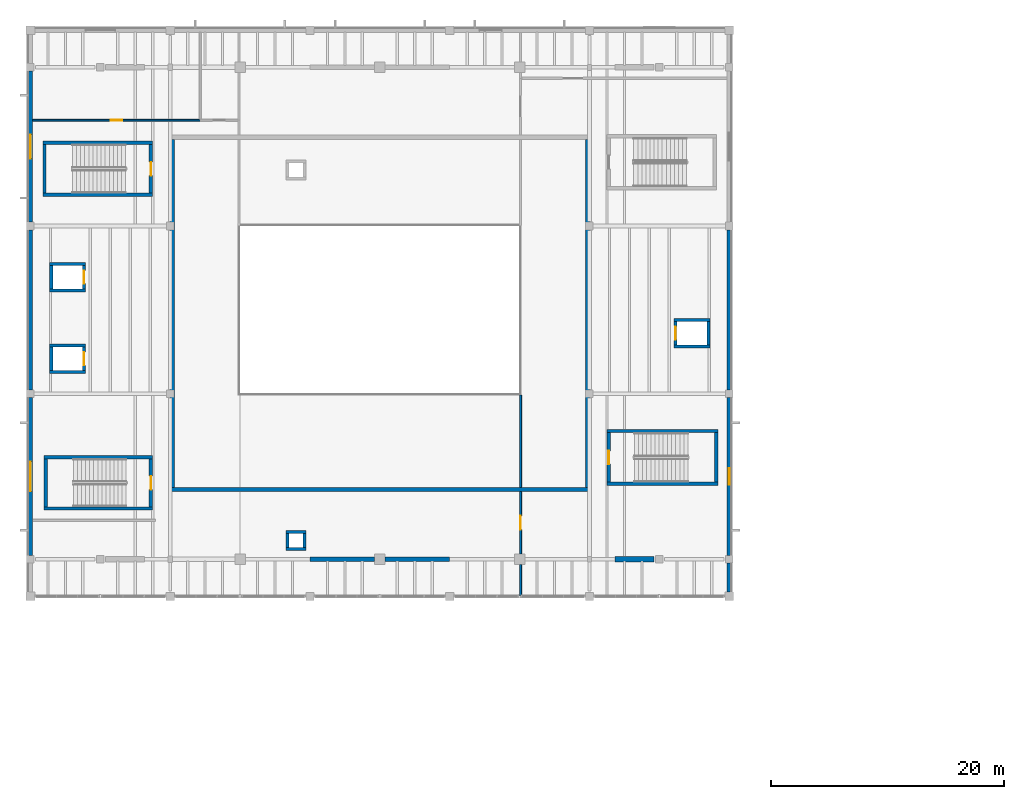
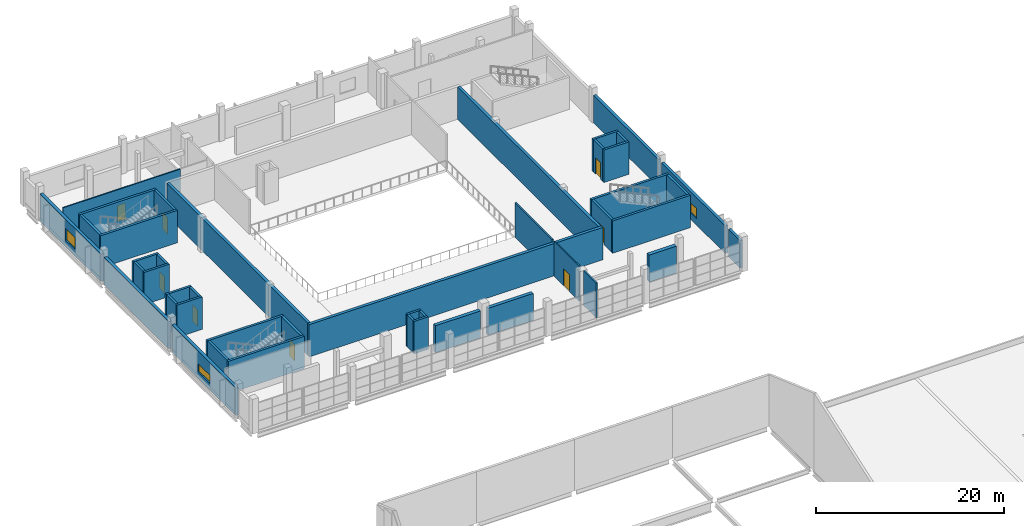
# One storey, part 46 of 63: 44 walls, 8 doors, 3 windows, 11 openings.
"""IFC4 building model written with IfcOpenShell, lengths in metres."""

from ifc_helpers import new_model, si_unit, direction, frame, frame_2d, origin, place, context, subcontext, project, spatial, rectangle, extrude, material, layer, layer_set, type_object, element, fill, save


model = new_model("IFC4")

# Units and contexts
model_context = context("Model", 3, precision=1e-05, world=origin(), true_north=direction((0.0, 1.0)))
body_context = subcontext(model_context, "Body", "Model", "MODEL_VIEW")
ifc_project = project(units=[si_unit("LENGTHUNIT", "METRE"), si_unit("AREAUNIT", "SQUARE_METRE"), si_unit("VOLUMEUNIT", "CUBIC_METRE"), si_unit("PLANEANGLEUNIT", "RADIAN"), si_unit("MASSUNIT", "GRAM", prefix="KILO")], contexts=[model_context])

# Site, building, storey
site_placement = place(None, origin())
site = spatial("IfcSite", under=ifc_project, at=site_placement, CompositionType="ELEMENT")
building_placement = place(site_placement, origin())
building = spatial("IfcBuilding", under=site, at=building_placement, Name="Kelmvaro Bay Concert Hall", CompositionType="ELEMENT")
storey_placement = place(building_placement, frame((0.0, 0.0, 13.800048828125)))
storey = spatial("IfcBuildingStorey", under=building, at=storey_placement, Name="L03", CompositionType="ELEMENT", Elevation=13.800048828125)

# Wall
ifc_material_1 = material(Name="Acoustic Gypsum Board on Galvanised Steel Studs", Category="steel")
ifc_layer_1 = layer(ifc_material_1, 0.169921875)
ifc_layer_set_1 = layer_set([ifc_layer_1], Name="Acoustic Gypsum Board on Galvanised Steel Studs")
wall_type_1 = type_object("IfcWallType", Name="Corridor Fire Compartment Partition 170", PredefinedType="PARTITIONING", material=ifc_layer_set_1)
wall_1_placement = place(storey_placement, frame((42.080078125, 65.449951171875, 0.0), z_axis=(0.0, 0.0, 1.0), x_axis=(0.0, 1.0, 0.0)))
element("IfcWall", 1, at=wall_1_placement, inside=storey, type_object=wall_type_1, Name="L03 Interior Partition PT-L03-0278", PredefinedType="PARTITIONING", context=body_context, shape_type="SweptSolid", body=[
    extrude(rectangle(XDim=2.672119140625, YDim=0.169921875, at=frame_2d((1.3359375, 0.0))), origin(), (0.0, 0.0, 1.0), 4.5),
])

# Wall, opening, door
wall_2_placement = place(storey_placement, frame((42.080078125, 69.0380859375, 0.0), z_axis=(0.0, 0.0, 1.0), x_axis=(0.0, 1.0, 0.0)))
wall_2 = element("IfcWall", 2, at=wall_2_placement, inside=storey, type_object=wall_type_1, Name="L03 Interior Partition PT-L03-0279", PredefinedType="PARTITIONING", context=body_context, shape_type="SweptSolid", body=[
    extrude(rectangle(XDim=5.35693359375, YDim=0.169921875, at=frame_2d((2.678466796875, 0.0))), origin(), (0.0, 0.0, 1.0), 4.5),
])
opening_1_placement = place(wall_2_placement, frame((2.068603515625, 0.0, 0.0)))
opening_1 = element("IfcOpeningElement", 3, at=opening_1_placement, cuts=wall_2, Name="Opening ID-ST2", PredefinedType="OPENING", context=body_context, shape_type="SweptSolid", body=[
    extrude(rectangle(XDim=1.219970703125, YDim=2.179931640625, at=frame_2d((0.60986328125, 1.08984375))), frame((0.0, 0.094970703125, 0.0), z_axis=(0.0, -1.0, 0.0), x_axis=(1.0, 0.0, 0.0)), (0.0, 0.0, 1.0), 0.18994140625),
])
ifc_material_2 = material(Name="Acoustic Oak and Fire Glass", Category="glass")
door_type_1 = type_object("IfcDoorType", Name="Core Lobby Smoke Control Door 1220x2180", OperationType="NOTDEFINED", PredefinedType="DOOR", material=ifc_material_2)
door_1_placement = place(opening_1_placement, origin())
door_1 = element("IfcDoor", 4, at=door_1_placement, inside=storey, type_object=door_type_1, Name="L03 Interior Door DR-INT-L03-0166", OperationType="SINGLE_SWING_RIGHT", OverallHeight=2.179931640625, OverallWidth=1.219970703125, PredefinedType="DOOR", context=body_context, shape_type="SweptSolid", body=[
    extrude(rectangle(XDim=1.219970703125, YDim=2.179931640625, at=frame_2d((0.60986328125, 1.08984375))), frame((0.0, 0.02490234375, 0.0), z_axis=(0.0, -1.0, 0.0), x_axis=(1.0, 0.0, 0.0)), (0.0, 0.0, 1.0), 0.050048828125),
])
fill(opening_1, door_1)

# Walls
wall_3_placement = place(storey_placement, frame((42.080078125, 74.764892578125, 0.0), z_axis=(0.0, 0.0, 1.0), x_axis=(0.0, 1.0, 0.0)))
element("IfcWall", 5, at=wall_3_placement, inside=storey, type_object=wall_type_1, Name="L03 Interior Partition PT-L03-0280", PredefinedType="PARTITIONING", context=body_context, shape_type="SweptSolid", body=[
    extrude(rectangle(XDim=7.920166015625, YDim=0.169921875, at=frame_2d((3.9599609375, 0.0))), origin(), (0.0, 0.0, 1.0), 4.5),
])
ifc_material_3 = material(Name="Concrete C40/50", Category="concrete")
ifc_layer_2 = layer(ifc_material_3, 0.35009765625)
ifc_layer_set_2 = layer_set([ifc_layer_2], Name="Concrete C40/50")
wall_type_2 = type_object("IfcWallType", Name="Inner Floating Box Shear Wall 350", PredefinedType="SHEAR", material=ifc_layer_set_2)
wall_4_placement = place(storey_placement, frame((12.0048828125, 74.580078125, 0.0), z_axis=(0.0, 0.0, 1.0), x_axis=(1.0, 0.0, 0.0)))
element("IfcWall", 6, at=wall_4_placement, inside=storey, type_object=wall_type_2, Name="L03 V1 Acoustic Inner Box Wall S", PredefinedType="SHEAR", context=body_context, shape_type="SweptSolid", body=[
    extrude(rectangle(XDim=35.990234375, YDim=0.35009765625, at=frame_2d((17.9951171875, 0.0))), origin(), (0.0, 0.0, 1.0), 4.199951171875),
])
for number, where, z_axis, x_axis, name in (
    (7, (12.179931640625, 74.7548828125, 0.0), (0.0, 0.0, 1.0), (0.0, 1.0, 0.0), "L03 V1 Acoustic Inner Box Wall W"),
    (8, (47.820068359375, 74.7548828125, 0.0), (0.0, 0.0, 1.0), (0.0, 1.0, 0.0), "L03 V1 Acoustic Inner Box Wall E"),
):
    element("IfcWall", number, at=place(storey_placement, frame(where, z_axis=z_axis, x_axis=x_axis)), inside=storey, type_object=wall_type_2, Name=name, PredefinedType="SHEAR", context=body_context, shape_type="SweptSolid", body=[
        extrude(rectangle(XDim=29.89013671875, YDim=0.35009765625, at=frame_2d((14.945068359375, 0.0))), origin(), (0.0, 0.0, 1.0), 4.199951171875),
    ])

# Wall, opening, window
ifc_material_4 = material(Name="Precast Concrete C40/50", Category="concrete")
ifc_layer_3 = layer(ifc_material_4, 0.340087890625)
ifc_layer_set_3 = layer_set([ifc_layer_3], Name="Precast Concrete C40/50")
wall_type_3 = type_object("IfcWallType", Name="Main Hall Faceted Precast Wall 340", PredefinedType="SOLIDWALL", material=ifc_layer_set_3)
wall_5_placement = place(storey_placement, frame((60.0, 82.47509765625, 0.0), z_axis=(0.0, 0.0, 1.0), x_axis=(0.0, -1.0, 0.0)))
wall_5 = element("IfcWall", 9, at=wall_5_placement, inside=storey, type_object=wall_type_3, Name="L03 Exterior Wall EW-L03-0057", PredefinedType="SOLIDWALL", context=body_context, shape_type="SweptSolid", body=[
    extrude(rectangle(XDim=13.570068359375, YDim=0.340087890625, at=frame_2d((6.78515625, 0.0))), origin(), (0.0, 0.0, 1.0), 3.56884765625),
])
opening_2_placement = place(wall_5_placement, frame((6.0849609375, 0.0, 0.85009765625)))
opening_2 = element("IfcOpeningElement", 10, at=opening_2_placement, cuts=wall_5, Name="Opening WN-26", PredefinedType="OPENING", context=body_context, shape_type="SweptSolid", body=[
    extrude(rectangle(XDim=1.39990234375, YDim=1.300048828125, at=frame_2d((0.699951171875, 0.64990234375))), frame((0.0, 0.179931640625, 0.0), z_axis=(0.0, -1.0, 0.0), x_axis=(1.0, 0.0, 0.0)), (0.0, 0.0, 1.0), 0.360107421875),
])
ifc_material_5 = material(Name="Thermally Broken Aluminium and Acoustic Low-E Glass", Category="aluminium")
window_type_1 = type_object("IfcWindowType", Name="Backstage Corridor Lite Window 1400x1300", PartitioningType="SINGLE_PANEL", PredefinedType="WINDOW", material=ifc_material_5)
window_1_placement = place(opening_2_placement, origin())
window_1 = element("IfcWindow", 11, at=window_1_placement, inside=storey, type_object=window_type_1, Name="L03 Facade Window WN-L03-0028", OverallHeight=1.300048828125, OverallWidth=1.39990234375, PartitioningType="SINGLE_PANEL", PredefinedType="WINDOW", context=body_context, shape_type="SweptSolid", body=[
    extrude(rectangle(XDim=1.39990234375, YDim=1.300048828125, at=frame_2d((0.699951171875, 0.64990234375))), frame((0.0, 0.030029296875, 0.0), z_axis=(0.0, -1.0, 0.0), x_axis=(1.0, 0.0, 0.0)), (0.0, 0.0, 1.0), 0.06005859375),
])
fill(opening_2, window_1)

# Walls
wall_6_placement = place(storey_placement, frame((60.0, 68.2548828125, 0.0), z_axis=(0.0, 0.0, 1.0), x_axis=(0.0, -1.0, 0.0)))
element("IfcWall", 12, at=wall_6_placement, inside=storey, type_object=wall_type_3, Name="L03 Exterior Wall EW-L03-0058", PredefinedType="SOLIDWALL", context=body_context, shape_type="SweptSolid", body=[
    extrude(rectangle(XDim=2.47998046875, YDim=0.340087890625, at=frame_2d((1.239990234375, 0.0))), origin(), (0.0, 0.0, 1.0), 3.56787109375),
])
wall_7_placement = place(storey_placement, frame((60.0, 96.875, 0.0), z_axis=(0.0, 0.0, 1.0), x_axis=(0.0, -1.0, 0.0)))
element("IfcWall", 13, at=wall_7_placement, inside=storey, type_object=wall_type_3, Name="L03 Exterior Wall EW-L03-0059", PredefinedType="SOLIDWALL", context=body_context, shape_type="SweptSolid", body=[
    extrude(rectangle(XDim=13.75, YDim=0.340087890625, at=frame_2d((6.875, 0.0))), origin(), (0.0, 0.0, 1.0), 3.56884765625),
])
ifc_material_6 = material(Name="Concrete C40/50", Category="concrete")
ifc_layer_4 = layer(ifc_material_6, 0.449951171875)
ifc_layer_set_4 = layer_set([ifc_layer_4], Name="Concrete C40/50")
wall_type_4 = type_object("IfcWallType", Name="Outer Acoustic Box Shear Wall 450", PredefinedType="SHEAR", material=ifc_layer_set_4)
wall_8_placement = place(storey_placement, frame((50.199951171875, 68.580078125, 0.0), z_axis=(0.0, 0.0, 1.0), x_axis=(1.0, 0.0, 0.0)))
element("IfcWall", 14, at=wall_8_placement, inside=storey, type_object=wall_type_4, Name="L03 Shell Springing Shear Wall S4", PredefinedType="SHEAR", context=body_context, shape_type="SweptSolid", body=[
    extrude(rectangle(XDim=3.35009765625, YDim=0.449951171875, at=frame_2d((1.675048828125, 0.0))), origin(), (0.0, 0.0, 1.0), 3.5048828125),
])
ifc_material_7 = material(Name="Concrete C40/50", Category="concrete")
ifc_layer_5 = layer(ifc_material_7, 0.27001953125)
ifc_layer_set_5 = layer_set([ifc_layer_5], Name="Concrete C40/50")
wall_type_5 = type_object("IfcWallType", Name="Secondary Shaft Shear Wall 270", PredefinedType="SHEAR", material=ifc_layer_set_5)
for number, where, z_axis, x_axis, name in (
    (15, (21.929931640625, 69.465087890625, 0.0), (0.0, 0.0, 1.0), (1.0, 0.0, 0.0), "L03 Service Riser Shaft Wall 149-S"),
    (16, (21.929931640625, 70.93505859375, 0.0), (0.0, 0.0, 1.0), (1.0, 0.0, 0.0), "L03 Service Riser Shaft Wall 150-N"),
):
    element("IfcWall", number, at=place(storey_placement, frame(where, z_axis=z_axis, x_axis=x_axis)), inside=storey, type_object=wall_type_5, Name=name, PredefinedType="SHEAR", context=body_context, shape_type="SweptSolid", body=[
        extrude(rectangle(XDim=1.739990234375, YDim=0.27001953125, at=frame_2d((0.8701171875, 0.0))), origin(), (0.0, 0.0, 1.0), 4.199951171875),
    ])
for number, where, z_axis, x_axis, name in (
    (17, (22.06494140625, 69.60009765625, 0.0), (0.0, 0.0, 1.0), (0.0, 1.0, 0.0), "L03 Service Riser Shaft Wall 151-W"),
    (18, (23.534912109375, 69.60009765625, 0.0), (0.0, 0.0, 1.0), (0.0, 1.0, 0.0), "L03 Service Riser Shaft Wall 152-E"),
):
    element("IfcWall", number, at=place(storey_placement, frame(where, z_axis=z_axis, x_axis=x_axis)), inside=storey, type_object=wall_type_5, Name=name, PredefinedType="SHEAR", context=body_context, shape_type="SweptSolid", body=[
        extrude(rectangle(XDim=1.199951171875, YDim=0.27001953125, at=frame_2d((0.60009765625, 0.0))), origin(), (0.0, 0.0, 1.0), 4.199951171875),
    ])
for number, where, z_axis, x_axis, name in (
    (19, (1.655029296875, 84.6650390625, 0.0), (0.0, 0.0, 1.0), (1.0, 0.0, 0.0), "L03 LF-01 Lift Shaft Wall S"),
    (20, (1.655029296875, 86.93505859375, 0.0), (0.0, 0.0, 1.0), (1.0, 0.0, 0.0), "L03 LF-01 Lift Shaft Wall N"),
):
    element("IfcWall", number, at=place(storey_placement, frame(where, z_axis=z_axis, x_axis=x_axis)), inside=storey, type_object=wall_type_5, Name=name, PredefinedType="SHEAR", context=body_context, shape_type="SweptSolid", body=[
        extrude(rectangle(XDim=3.090087890625, YDim=0.27001953125, at=frame_2d((1.544921875, 0.0))), origin(), (0.0, 0.0, 1.0), 4.199951171875),
    ])
wall_9_placement = place(storey_placement, frame((1.7900390625, 84.800048828125, 0.0), z_axis=(0.0, 0.0, 1.0), x_axis=(0.0, 1.0, 0.0)))
element("IfcWall", 21, at=wall_9_placement, inside=storey, type_object=wall_type_5, Name="L03 LF-01 Lift Shaft Wall W", PredefinedType="SHEAR", context=body_context, shape_type="SweptSolid", body=[
    extrude(rectangle(XDim=2.0, YDim=0.27001953125, at=frame_2d((1.0, 0.0))), origin(), (0.0, 0.0, 1.0), 4.199951171875),
])

# Wall, opening, door
wall_10_placement = place(storey_placement, frame((4.610107421875, 84.800048828125, 0.0), z_axis=(0.0, 0.0, 1.0), x_axis=(0.0, 1.0, 0.0)))
wall_10 = element("IfcWall", 22, at=wall_10_placement, inside=storey, type_object=wall_type_5, Name="L03 LF-01 Lift Shaft Wall E", PredefinedType="SHEAR", context=body_context, shape_type="SweptSolid", body=[
    extrude(rectangle(XDim=2.0, YDim=0.27001953125, at=frame_2d((1.0, 0.0))), origin(), (0.0, 0.0, 1.0), 4.199951171875),
])
opening_3_placement = place(wall_10_placement, frame((0.43994140625, 0.0, 0.0)))
opening_3 = element("IfcOpeningElement", 23, at=opening_3_placement, cuts=wall_10, Name="Opening LD-112", PredefinedType="OPENING", context=body_context, shape_type="SweptSolid", body=[
    extrude(rectangle(XDim=1.1201171875, YDim=2.14990234375, at=frame_2d((0.56005859375, 1.074951171875))), frame((0.0, 0.14501953125, 0.0), z_axis=(0.0, -1.0, 0.0), x_axis=(1.0, 0.0, 0.0)), (0.0, 0.0, 1.0), 0.2900390625),
])
ifc_material_8 = material(Name="Brushed Stainless Steel 316", Category="steel")
door_type_2 = type_object("IfcDoorType", Name="Passenger Lift Sliding Landing Door 1120x2150", OperationType="NOTDEFINED", PredefinedType="DOOR", material=ifc_material_8)
door_2_placement = place(opening_3_placement, origin())
door_2 = element("IfcDoor", 24, at=door_2_placement, inside=storey, type_object=door_type_2, Name="L03 Lift Landing Door LF-01", OperationType="SLIDING_TO_LEFT", OverallHeight=2.14990234375, OverallWidth=1.1201171875, PredefinedType="DOOR", context=body_context, shape_type="SweptSolid", body=[
    extrude(rectangle(XDim=1.1201171875, YDim=2.14990234375, at=frame_2d((0.56005859375, 1.074951171875))), frame((0.0, 0.02490234375, 0.0), z_axis=(0.0, -1.0, 0.0), x_axis=(1.0, 0.0, 0.0)), (0.0, 0.0, 1.0), 0.050048828125),
])
fill(opening_3, door_2)

# Walls
for number, where, z_axis, x_axis, name in (
    (25, (1.655029296875, 91.6650390625, 0.0), (0.0, 0.0, 1.0), (1.0, 0.0, 0.0), "L03 LF-02 Lift Shaft Wall S"),
    (26, (1.655029296875, 93.93505859375, 0.0), (0.0, 0.0, 1.0), (1.0, 0.0, 0.0), "L03 LF-02 Lift Shaft Wall N"),
):
    element("IfcWall", number, at=place(storey_placement, frame(where, z_axis=z_axis, x_axis=x_axis)), inside=storey, type_object=wall_type_5, Name=name, PredefinedType="SHEAR", context=body_context, shape_type="SweptSolid", body=[
        extrude(rectangle(XDim=3.090087890625, YDim=0.27001953125, at=frame_2d((1.544921875, 0.0))), origin(), (0.0, 0.0, 1.0), 4.199951171875),
    ])
wall_11_placement = place(storey_placement, frame((1.7900390625, 91.800048828125, 0.0), z_axis=(0.0, 0.0, 1.0), x_axis=(0.0, 1.0, 0.0)))
element("IfcWall", 27, at=wall_11_placement, inside=storey, type_object=wall_type_5, Name="L03 LF-02 Lift Shaft Wall W", PredefinedType="SHEAR", context=body_context, shape_type="SweptSolid", body=[
    extrude(rectangle(XDim=2.0, YDim=0.27001953125, at=frame_2d((1.0, 0.0))), origin(), (0.0, 0.0, 1.0), 4.199951171875),
])

# Wall, opening, door
wall_12_placement = place(storey_placement, frame((4.610107421875, 91.800048828125, 0.0), z_axis=(0.0, 0.0, 1.0), x_axis=(0.0, 1.0, 0.0)))
wall_12 = element("IfcWall", 28, at=wall_12_placement, inside=storey, type_object=wall_type_5, Name="L03 LF-02 Lift Shaft Wall E", PredefinedType="SHEAR", context=body_context, shape_type="SweptSolid", body=[
    extrude(rectangle(XDim=2.0, YDim=0.27001953125, at=frame_2d((1.0, 0.0))), origin(), (0.0, 0.0, 1.0), 4.199951171875),
])
opening_4_placement = place(wall_12_placement, frame((0.43994140625, 0.0, 0.0)))
opening_4 = element("IfcOpeningElement", 29, at=opening_4_placement, cuts=wall_12, Name="Opening LD-112", PredefinedType="OPENING", context=body_context, shape_type="SweptSolid", body=[
    extrude(rectangle(XDim=1.1201171875, YDim=2.14990234375, at=frame_2d((0.56005859375, 1.074951171875))), frame((0.0, 0.14501953125, 0.0), z_axis=(0.0, -1.0, 0.0), x_axis=(1.0, 0.0, 0.0)), (0.0, 0.0, 1.0), 0.2900390625),
])
door_3_placement = place(opening_4_placement, origin())
door_3 = element("IfcDoor", 30, at=door_3_placement, inside=storey, type_object=door_type_2, Name="L03 Lift Landing Door LF-02", OperationType="SLIDING_TO_LEFT", OverallHeight=2.14990234375, OverallWidth=1.1201171875, PredefinedType="DOOR", context=body_context, shape_type="SweptSolid", body=[
    extrude(rectangle(XDim=1.1201171875, YDim=2.14990234375, at=frame_2d((0.56005859375, 1.074951171875))), frame((0.0, 0.02490234375, 0.0), z_axis=(0.0, -1.0, 0.0), x_axis=(1.0, 0.0, 0.0)), (0.0, 0.0, 1.0), 0.050048828125),
])
fill(opening_4, door_3)

# Walls
for number, where, z_axis, x_axis, name in (
    (31, (55.2548828125, 86.864990234375, 0.0), (0.0, 0.0, 1.0), (1.0, 0.0, 0.0), "L03 LF-03 Lift Shaft Wall S"),
    (32, (55.2548828125, 89.135009765625, 0.0), (0.0, 0.0, 1.0), (1.0, 0.0, 0.0), "L03 LF-03 Lift Shaft Wall N"),
):
    element("IfcWall", number, at=place(storey_placement, frame(where, z_axis=z_axis, x_axis=x_axis)), inside=storey, type_object=wall_type_5, Name=name, PredefinedType="SHEAR", context=body_context, shape_type="SweptSolid", body=[
        extrude(rectangle(XDim=3.090087890625, YDim=0.27001953125, at=frame_2d((1.544921875, 0.0))), origin(), (0.0, 0.0, 1.0), 4.199951171875),
    ])

# Wall, opening, door
wall_13_placement = place(storey_placement, frame((55.389892578125, 87.0, 0.0), z_axis=(0.0, 0.0, 1.0), x_axis=(0.0, 1.0, 0.0)))
wall_13 = element("IfcWall", 33, at=wall_13_placement, inside=storey, type_object=wall_type_5, Name="L03 LF-03 Lift Shaft Wall W", PredefinedType="SHEAR", context=body_context, shape_type="SweptSolid", body=[
    extrude(rectangle(XDim=2.0, YDim=0.27001953125, at=frame_2d((1.0, 0.0))), origin(), (0.0, 0.0, 1.0), 4.199951171875),
])
opening_5_placement = place(wall_13_placement, frame((0.43994140625, 0.0, 0.0)))
opening_5 = element("IfcOpeningElement", 34, at=opening_5_placement, cuts=wall_13, Name="Opening LD-112", PredefinedType="OPENING", context=body_context, shape_type="SweptSolid", body=[
    extrude(rectangle(XDim=1.1201171875, YDim=2.14990234375, at=frame_2d((0.56005859375, 1.074951171875))), frame((0.0, 0.14501953125, 0.0), z_axis=(0.0, -1.0, 0.0), x_axis=(1.0, 0.0, 0.0)), (0.0, 0.0, 1.0), 0.2900390625),
])
door_4_placement = place(opening_5_placement, origin())
door_4 = element("IfcDoor", 35, at=door_4_placement, inside=storey, type_object=door_type_2, Name="L03 Lift Landing Door LF-03", OperationType="SLIDING_TO_LEFT", OverallHeight=2.14990234375, OverallWidth=1.1201171875, PredefinedType="DOOR", context=body_context, shape_type="SweptSolid", body=[
    extrude(rectangle(XDim=1.1201171875, YDim=2.14990234375, at=frame_2d((0.56005859375, 1.074951171875))), frame((0.0, 0.02490234375, 0.0), z_axis=(0.0, -1.0, 0.0), x_axis=(1.0, 0.0, 0.0)), (0.0, 0.0, 1.0), 0.050048828125),
])
fill(opening_5, door_4)

# Walls
wall_14_placement = place(storey_placement, frame((58.2099609375, 87.0, 0.0), z_axis=(0.0, 0.0, 1.0), x_axis=(0.0, 1.0, 0.0)))
element("IfcWall", 36, at=wall_14_placement, inside=storey, type_object=wall_type_5, Name="L03 LF-03 Lift Shaft Wall E", PredefinedType="SHEAR", context=body_context, shape_type="SweptSolid", body=[
    extrude(rectangle(XDim=2.0, YDim=0.27001953125, at=frame_2d((1.0, 0.0))), origin(), (0.0, 0.0, 1.0), 4.199951171875),
])
ifc_material_9 = material(Name="Concrete C40/50", Category="concrete")
ifc_layer_6 = layer(ifc_material_9, 0.409912109375)
ifc_layer_set_6 = layer_set([ifc_layer_6], Name="Concrete C40/50")
wall_type_6 = type_object("IfcWallType", Name="Shell Springing Shear Wall 410", PredefinedType="SHEAR", material=ifc_layer_set_6)
for number, where, z_axis, x_axis, name in (
    (37, (24.0, 68.580078125, 0.0), (0.0, 0.0, 1.0), (1.0, 0.0, 0.0), "L03 Shell Springing Shear Wall S2"),
    (38, (30.449951171875, 68.580078125, 0.0), (0.0, 0.0, 1.0), (1.0, 0.0, 0.0), "L03 Shell Springing Shear Wall S3"),
):
    element("IfcWall", number, at=place(storey_placement, frame(where, z_axis=z_axis, x_axis=x_axis)), inside=storey, type_object=wall_type_6, Name=name, PredefinedType="SHEAR", context=body_context, shape_type="SweptSolid", body=[
        extrude(rectangle(XDim=5.550048828125, YDim=0.409912109375, at=frame_2d((2.77490234375, 0.0))), origin(), (0.0, 0.0, 1.0), 3.5048828125),
    ])
ifc_material_10 = material(Name="Concrete C40/50", Category="concrete")
ifc_layer_7 = layer(ifc_material_10, 0.2900390625)
ifc_layer_set_7 = layer_set([ifc_layer_7], Name="Concrete C40/50")
wall_type_7 = type_object("IfcWallType", Name="Stair and Lift Core Shear Wall 290", PredefinedType="SHEAR", material=ifc_layer_set_7)
for number, where, z_axis, x_axis, name in (
    (39, (1.159912109375, 72.945068359375, 0.0), (0.0, 0.0, 1.0), (1.0, 0.0, 0.0), "L03 ST-01 Core Shear Wall S"),
    (40, (1.159912109375, 77.344970703125, 0.0), (0.0, 0.0, 1.0), (1.0, 0.0, 0.0), "L03 ST-01 Core Shear Wall N"),
):
    element("IfcWall", number, at=place(storey_placement, frame(where, z_axis=z_axis, x_axis=x_axis)), inside=storey, type_object=wall_type_7, Name=name, PredefinedType="SHEAR", context=body_context, shape_type="SweptSolid", body=[
        extrude(rectangle(XDim=9.330078125, YDim=0.2900390625, at=frame_2d((4.6650390625, 0.0))), origin(), (0.0, 0.0, 1.0), 4.199951171875),
    ])
wall_15_placement = place(storey_placement, frame((1.304931640625, 73.090087890625, 0.0), z_axis=(0.0, 0.0, 1.0), x_axis=(0.0, 1.0, 0.0)))
element("IfcWall", 41, at=wall_15_placement, inside=storey, type_object=wall_type_7, Name="L03 ST-01 Core Shear Wall W", PredefinedType="SHEAR", context=body_context, shape_type="SweptSolid", body=[
    extrude(rectangle(XDim=4.10986328125, YDim=0.2900390625, at=frame_2d((2.054931640625, 0.0))), origin(), (0.0, 0.0, 1.0), 4.199951171875),
])

# Wall, opening, door
wall_16_placement = place(storey_placement, frame((10.344970703125, 73.090087890625, 0.0), z_axis=(0.0, 0.0, 1.0), x_axis=(0.0, 1.0, 0.0)))
wall_16 = element("IfcWall", 42, at=wall_16_placement, inside=storey, type_object=wall_type_7, Name="L03 ST-01 Core Shear Wall E", PredefinedType="SHEAR", context=body_context, shape_type="SweptSolid", body=[
    extrude(rectangle(XDim=4.10986328125, YDim=0.2900390625, at=frame_2d((2.054931640625, 0.0))), origin(), (0.0, 0.0, 1.0), 4.199951171875),
])
opening_6_placement = place(wall_16_placement, frame((1.47998046875, 0.0, 0.0)))
opening_6 = element("IfcOpeningElement", 43, at=opening_6_placement, cuts=wall_16, Name="Opening ID-ST1", PredefinedType="OPENING", context=body_context, shape_type="SweptSolid", body=[
    extrude(rectangle(XDim=1.14990234375, YDim=2.14990234375, at=frame_2d((0.574951171875, 1.074951171875))), frame((0.0, 0.155029296875, 0.0), z_axis=(0.0, -1.0, 0.0), x_axis=(1.0, 0.0, 0.0)), (0.0, 0.0, 1.0), 0.31005859375),
])
ifc_material_11 = material(Name="Fire-Rated Galvanised Steel", Category="steel")
door_type_3 = type_object("IfcDoorType", Name="Exit Stair Fire Door 1150x2150", OperationType="NOTDEFINED", PredefinedType="DOOR", material=ifc_material_11)
door_5_placement = place(opening_6_placement, origin())
door_5 = element("IfcDoor", 44, at=door_5_placement, inside=storey, type_object=door_type_3, Name="L03 ST-01 Stair Fire Door", OperationType="SINGLE_SWING_LEFT", OverallHeight=2.14990234375, OverallWidth=1.14990234375, PredefinedType="DOOR", context=body_context, shape_type="SweptSolid", body=[
    extrude(rectangle(XDim=1.14990234375, YDim=2.14990234375, at=frame_2d((0.574951171875, 1.074951171875))), frame((0.0, 0.02490234375, 0.0), z_axis=(0.0, -1.0, 0.0), x_axis=(1.0, 0.0, 0.0)), (0.0, 0.0, 1.0), 0.050048828125),
])
fill(opening_6, door_5)

# Walls
for number, where, z_axis, x_axis, name in (
    (45, (1.06005859375, 99.864990234375, 0.0), (0.0, 0.0, 1.0), (1.0, 0.0, 0.0), "L03 ST-03 Core Shear Wall S"),
    (46, (1.06005859375, 104.344970703125, 0.0), (0.0, 0.0, 1.0), (1.0, 0.0, 0.0), "L03 ST-03 Core Shear Wall N"),
):
    element("IfcWall", number, at=place(storey_placement, frame(where, z_axis=z_axis, x_axis=x_axis)), inside=storey, type_object=wall_type_7, Name=name, PredefinedType="SHEAR", context=body_context, shape_type="SweptSolid", body=[
        extrude(rectangle(XDim=9.429931640625, YDim=0.2900390625, at=frame_2d((4.71484375, 0.0))), origin(), (0.0, 0.0, 1.0), 4.199951171875),
    ])
wall_17_placement = place(storey_placement, frame((1.205078125, 100.010009765625, 0.0), z_axis=(0.0, 0.0, 1.0), x_axis=(0.0, 1.0, 0.0)))
element("IfcWall", 47, at=wall_17_placement, inside=storey, type_object=wall_type_7, Name="L03 ST-03 Core Shear Wall W", PredefinedType="SHEAR", context=body_context, shape_type="SweptSolid", body=[
    extrude(rectangle(XDim=4.18994140625, YDim=0.2900390625, at=frame_2d((2.094970703125, 0.0))), origin(), (0.0, 0.0, 1.0), 4.199951171875),
])

# Wall, opening, door
wall_18_placement = place(storey_placement, frame((10.344970703125, 100.010009765625, 0.0), z_axis=(0.0, 0.0, 1.0), x_axis=(0.0, 1.0, 0.0)))
wall_18 = element("IfcWall", 48, at=wall_18_placement, inside=storey, type_object=wall_type_7, Name="L03 ST-03 Core Shear Wall E", PredefinedType="SHEAR", context=body_context, shape_type="SweptSolid", body=[
    extrude(rectangle(XDim=4.18994140625, YDim=0.2900390625, at=frame_2d((2.094970703125, 0.0))), origin(), (0.0, 0.0, 1.0), 4.199951171875),
])
opening_7_placement = place(wall_18_placement, frame((1.52001953125, 0.0, 0.0)))
opening_7 = element("IfcOpeningElement", 49, at=opening_7_placement, cuts=wall_18, Name="Opening ID-ST1", PredefinedType="OPENING", context=body_context, shape_type="SweptSolid", body=[
    extrude(rectangle(XDim=1.14990234375, YDim=2.14990234375, at=frame_2d((0.574951171875, 1.074951171875))), frame((0.0, 0.155029296875, 0.0), z_axis=(0.0, -1.0, 0.0), x_axis=(1.0, 0.0, 0.0)), (0.0, 0.0, 1.0), 0.31005859375),
])
door_6_placement = place(opening_7_placement, origin())
door_6 = element("IfcDoor", 50, at=door_6_placement, inside=storey, type_object=door_type_3, Name="L03 ST-03 Stair Fire Door", OperationType="SINGLE_SWING_LEFT", OverallHeight=2.14990234375, OverallWidth=1.14990234375, PredefinedType="DOOR", context=body_context, shape_type="SweptSolid", body=[
    extrude(rectangle(XDim=1.14990234375, YDim=2.14990234375, at=frame_2d((0.574951171875, 1.074951171875))), frame((0.0, 0.02490234375, 0.0), z_axis=(0.0, -1.0, 0.0), x_axis=(1.0, 0.0, 0.0)), (0.0, 0.0, 1.0), 0.050048828125),
])
fill(opening_7, door_6)

# Walls
for number, where, z_axis, x_axis, name in (
    (51, (49.510009765625, 75.054931640625, 0.0), (0.0, 0.0, 1.0), (1.0, 0.0, 0.0), "L03 ST-04 Core Shear Wall S"),
    (52, (49.510009765625, 79.594970703125, 0.0), (0.0, 0.0, 1.0), (1.0, 0.0, 0.0), "L03 ST-04 Core Shear Wall N"),
):
    element("IfcWall", number, at=place(storey_placement, frame(where, z_axis=z_axis, x_axis=x_axis)), inside=storey, type_object=wall_type_7, Name=name, PredefinedType="SHEAR", context=body_context, shape_type="SweptSolid", body=[
        extrude(rectangle(XDim=9.530029296875, YDim=0.2900390625, at=frame_2d((4.76513671875, 0.0))), origin(), (0.0, 0.0, 1.0), 4.199951171875),
    ])

# Wall, opening, door
wall_19_placement = place(storey_placement, frame((49.655029296875, 75.199951171875, 0.0), z_axis=(0.0, 0.0, 1.0), x_axis=(0.0, 1.0, 0.0)))
wall_19 = element("IfcWall", 53, at=wall_19_placement, inside=storey, type_object=wall_type_7, Name="L03 ST-04 Core Shear Wall W", PredefinedType="SHEAR", context=body_context, shape_type="SweptSolid", body=[
    extrude(rectangle(XDim=4.25, YDim=0.2900390625, at=frame_2d((2.125, 0.0))), origin(), (0.0, 0.0, 1.0), 4.199951171875),
])
opening_8_placement = place(wall_19_placement, frame((1.550048828125, 0.0, 0.0)))
opening_8 = element("IfcOpeningElement", 54, at=opening_8_placement, cuts=wall_19, Name="Opening ID-ST1", PredefinedType="OPENING", context=body_context, shape_type="SweptSolid", body=[
    extrude(rectangle(XDim=1.14990234375, YDim=2.14990234375, at=frame_2d((0.574951171875, 1.074951171875))), frame((0.0, 0.155029296875, 0.0), z_axis=(0.0, -1.0, 0.0), x_axis=(1.0, 0.0, 0.0)), (0.0, 0.0, 1.0), 0.31005859375),
])
door_7_placement = place(opening_8_placement, origin())
door_7 = element("IfcDoor", 55, at=door_7_placement, inside=storey, type_object=door_type_3, Name="L03 ST-04 Stair Fire Door", OperationType="SINGLE_SWING_LEFT", OverallHeight=2.14990234375, OverallWidth=1.14990234375, PredefinedType="DOOR", context=body_context, shape_type="SweptSolid", body=[
    extrude(rectangle(XDim=1.14990234375, YDim=2.14990234375, at=frame_2d((0.574951171875, 1.074951171875))), frame((0.0, 0.02490234375, 0.0), z_axis=(0.0, -1.0, 0.0), x_axis=(1.0, 0.0, 0.0)), (0.0, 0.0, 1.0), 0.050048828125),
])
fill(opening_8, door_7)

# Wall
wall_20_placement = place(storey_placement, frame((58.89501953125, 75.199951171875, 0.0), z_axis=(0.0, 0.0, 1.0), x_axis=(0.0, 1.0, 0.0)))
element("IfcWall", 56, at=wall_20_placement, inside=storey, type_object=wall_type_7, Name="L03 ST-04 Core Shear Wall E", PredefinedType="SHEAR", context=body_context, shape_type="SweptSolid", body=[
    extrude(rectangle(XDim=4.25, YDim=0.2900390625, at=frame_2d((2.125, 0.0))), origin(), (0.0, 0.0, 1.0), 4.199951171875),
])

# Wall, opening, window
ifc_material_12 = material(Name="Precast Concrete C40/50", Category="concrete")
ifc_layer_8 = layer(ifc_material_12, 0.360107421875)
ifc_layer_set_8 = layer_set([ifc_layer_8], Name="Precast Concrete C40/50")
wall_type_8 = type_object("IfcWallType", Name="Travertine Acoustic Precast Wall 360", PredefinedType="SOLIDWALL", material=ifc_layer_set_8)
wall_21_placement = place(storey_placement, frame((0.0, 68.905029296875, 0.0), z_axis=(0.0, 0.0, 1.0), x_axis=(0.0, 1.0, 0.0)))
wall_21 = element("IfcWall", 57, at=wall_21_placement, inside=storey, type_object=wall_type_8, Name="L03 Exterior Wall EW-L03-0053", PredefinedType="SOLIDWALL", context=body_context, shape_type="SweptSolid", body=[
    extrude(rectangle(XDim=13.570068359375, YDim=0.360107421875, at=frame_2d((6.78515625, 0.0))), origin(), (0.0, 0.0, 1.0), 3.56884765625),
])
opening_9_placement = place(wall_21_placement, frame((5.510009765625, 0.0, 0.85009765625)))
opening_9 = element("IfcOpeningElement", 58, at=opening_9_placement, cuts=wall_21, Name="Opening WN-24", PredefinedType="OPENING", context=body_context, shape_type="SweptSolid", body=[
    extrude(rectangle(XDim=2.550048828125, YDim=1.050048828125, at=frame_2d((1.27490234375, 0.52490234375))), frame((0.0, 0.18994140625, 0.0), z_axis=(0.0, -1.0, 0.0), x_axis=(1.0, 0.0, 0.0)), (0.0, 0.0, 1.0), 0.380126953125),
])
ifc_material_13 = material(Name="Thermally Broken Aluminium and Acoustic Low-E Glass", Category="aluminium")
window_type_2 = type_object("IfcWindowType", Name="Percussion High Clerestory 2550x1050", PartitioningType="SINGLE_PANEL", PredefinedType="WINDOW", material=ifc_material_13)
window_2_placement = place(opening_9_placement, origin())
window_2 = element("IfcWindow", 59, at=window_2_placement, inside=storey, type_object=window_type_2, Name="L03 Facade Window WN-L03-0026", OverallHeight=1.050048828125, OverallWidth=2.550048828125, PartitioningType="SINGLE_PANEL", PredefinedType="WINDOW", context=body_context, shape_type="SweptSolid", body=[
    extrude(rectangle(XDim=2.550048828125, YDim=1.050048828125, at=frame_2d((1.27490234375, 0.52490234375))), frame((0.0, 0.030029296875, 0.0), z_axis=(0.0, -1.0, 0.0), x_axis=(1.0, 0.0, 0.0)), (0.0, 0.0, 1.0), 0.06005859375),
])
fill(opening_9, window_2)

# Wall
wall_22_placement = place(storey_placement, frame((0.0, 83.125, 0.0), z_axis=(0.0, 0.0, 1.0), x_axis=(0.0, 1.0, 0.0)))
element("IfcWall", 60, at=wall_22_placement, inside=storey, type_object=wall_type_8, Name="L03 Exterior Wall EW-L03-0054", PredefinedType="SOLIDWALL", context=body_context, shape_type="SweptSolid", body=[
    extrude(rectangle(XDim=13.75, YDim=0.360107421875, at=frame_2d((6.875, 0.0))), origin(), (0.0, 0.0, 1.0), 3.56884765625),
])

# Wall, opening, window
wall_23_placement = place(storey_placement, frame((0.0, 97.52490234375, 0.0), z_axis=(0.0, 0.0, 1.0), x_axis=(0.0, 1.0, 0.0)))
wall_23 = element("IfcWall", 61, at=wall_23_placement, inside=storey, type_object=wall_type_8, Name="L03 Exterior Wall EW-L03-0055", PredefinedType="SOLIDWALL", context=body_context, shape_type="SweptSolid", body=[
    extrude(rectangle(XDim=12.97021484375, YDim=0.360107421875, at=frame_2d((6.485107421875, 0.0))), origin(), (0.0, 0.0, 1.0), 3.56884765625),
])
opening_10_placement = place(wall_23_placement, frame((5.4599609375, 0.0, 0.85009765625)))
opening_10 = element("IfcOpeningElement", 62, at=opening_10_placement, cuts=wall_23, Name="Opening WN-25", PredefinedType="OPENING", context=body_context, shape_type="SweptSolid", body=[
    extrude(rectangle(XDim=2.050048828125, YDim=1.5, at=frame_2d((1.02490234375, 0.75))), frame((0.0, 0.18994140625, 0.0), z_axis=(0.0, -1.0, 0.0), x_axis=(1.0, 0.0, 0.0)), (0.0, 0.0, 1.0), 0.380126953125),
])
ifc_material_14 = material(Name="Thermally Broken Aluminium and Acoustic Low-E Glass", Category="aluminium")
window_type_3 = type_object("IfcWindowType", Name="Crown Listening Window 2050x1500", PartitioningType="SINGLE_PANEL", PredefinedType="WINDOW", material=ifc_material_14)
window_3_placement = place(opening_10_placement, origin())
window_3 = element("IfcWindow", 63, at=window_3_placement, inside=storey, type_object=window_type_3, Name="L03 Facade Window WN-L03-0027", OverallHeight=1.5, OverallWidth=2.050048828125, PartitioningType="SINGLE_PANEL", PredefinedType="WINDOW", context=body_context, shape_type="SweptSolid", body=[
    extrude(rectangle(XDim=2.050048828125, YDim=1.5, at=frame_2d((1.02490234375, 0.75))), frame((0.0, 0.030029296875, 0.0), z_axis=(0.0, -1.0, 0.0), x_axis=(1.0, 0.0, 0.0)), (0.0, 0.0, 1.0), 0.06005859375),
])
fill(opening_10, window_3)

# Wall, opening, door
ifc_material_15 = material(Name="Acoustic Gypsum Board on Galvanised Steel Studs", Category="steel")
ifc_layer_9 = layer(ifc_material_15, 0.14990234375)
ifc_layer_set_9 = layer_set([ifc_layer_9], Name="Acoustic Gypsum Board on Galvanised Steel Studs")
wall_type_9 = type_object("IfcWallType", Name="Wet Area Moisture-Resistant Partition 150", PredefinedType="PARTITIONING", material=ifc_layer_set_9)
wall_24_placement = place(storey_placement, frame((0.18994140625, 106.280029296875, 0.0), z_axis=(0.0, 0.0, 1.0), x_axis=(1.0, 0.0, 0.0)))
wall_24 = element("IfcWall", 64, at=wall_24_placement, inside=storey, type_object=wall_type_9, Name="L03 Interior Partition PT-L03-0290", PredefinedType="PARTITIONING", context=body_context, shape_type="SweptSolid", body=[
    extrude(rectangle(XDim=14.39501953125, YDim=0.14990234375, at=frame_2d((7.197509765625, 0.0))), origin(), (0.0, 0.0, 1.0), 4.179931640625),
])
opening_11_placement = place(wall_24_placement, frame((6.6923828125, 0.0, 0.0)))
opening_11 = element("IfcOpeningElement", 65, at=opening_11_placement, cuts=wall_24, Name="Opening ID-WC2", PredefinedType="OPENING", context=body_context, shape_type="SweptSolid", body=[
    extrude(rectangle(XDim=1.010009765625, YDim=2.10009765625, at=frame_2d((0.5048828125, 1.050048828125))), frame((0.0, 0.0849609375, 0.0), z_axis=(0.0, -1.0, 0.0), x_axis=(1.0, 0.0, 0.0)), (0.0, 0.0, 1.0), 0.169921875),
])
ifc_material_16 = material(Name="High-Pressure Laminate Core")
door_type_4 = type_object("IfcDoorType", Name="Public Restroom Vestibule Door 1010x2100", OperationType="NOTDEFINED", PredefinedType="DOOR", material=ifc_material_16)
door_8_placement = place(opening_11_placement, origin())
door_8 = element("IfcDoor", 66, at=door_8_placement, inside=storey, type_object=door_type_4, Name="L03 Interior Door DR-INT-L03-0168", OperationType="SINGLE_SWING_RIGHT", OverallHeight=2.10009765625, OverallWidth=1.010009765625, PredefinedType="DOOR", context=body_context, shape_type="SweptSolid", body=[
    extrude(rectangle(XDim=1.010009765625, YDim=2.10009765625, at=frame_2d((0.5048828125, 1.050048828125))), frame((0.0, 0.02490234375, 0.0), z_axis=(0.0, -1.0, 0.0), x_axis=(1.0, 0.0, 0.0)), (0.0, 0.0, 1.0), 0.050048828125),
])
fill(opening_11, door_8)

save(model, "model.ifc")
